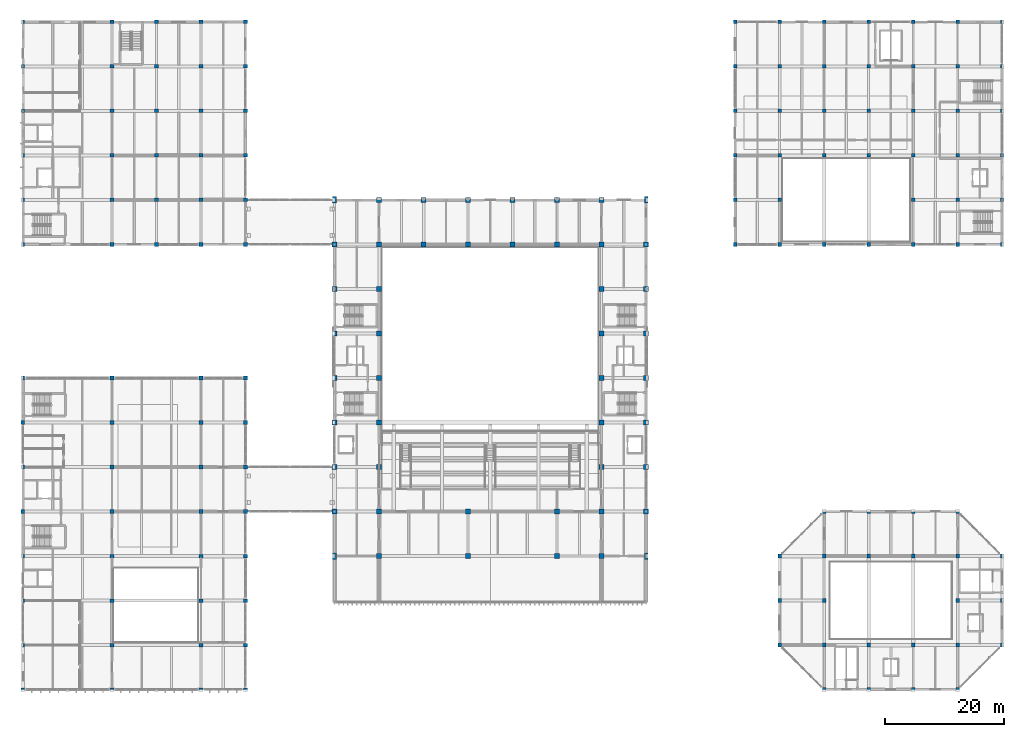
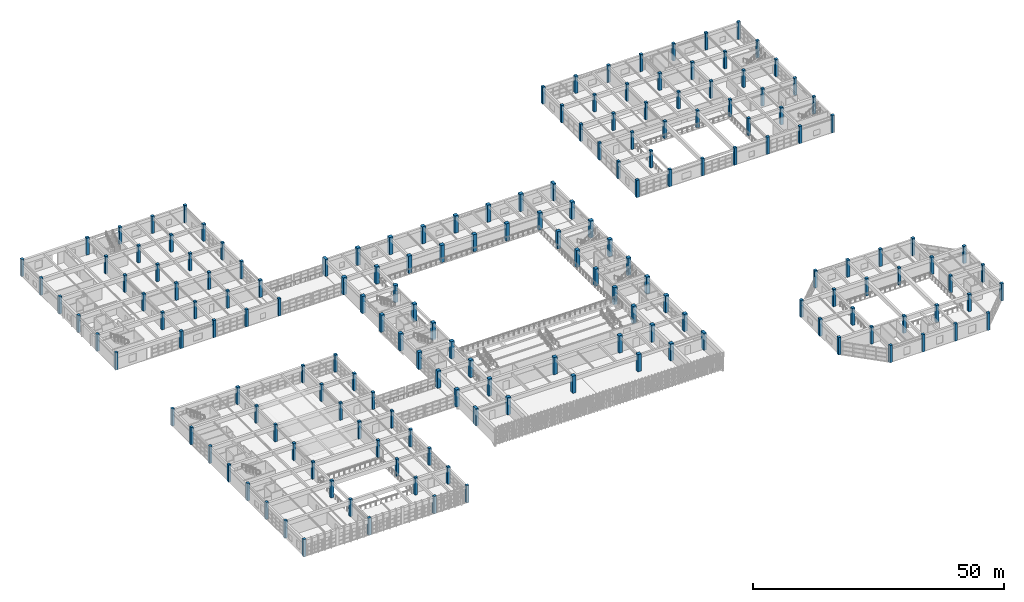
# One storey, part 1 of 124: 174 columns.
"""IFC4 building model written with IfcOpenShell, lengths in metres."""

from ifc_helpers import new_model, si_unit, direction, frame, origin, origin_2d, place, context, subcontext, project, spatial, rectangle, extrude, material, material_profile, profile_set, type_object, element, save


model = new_model("IFC4")

# Units and contexts
model_context = context("Model", 3, precision=1e-05, world=origin(), true_north=direction((0.0, 1.0)))
body_context = subcontext(model_context, "Body", "Model", "MODEL_VIEW")
ifc_project = project(units=[si_unit("LENGTHUNIT", "METRE"), si_unit("AREAUNIT", "SQUARE_METRE"), si_unit("VOLUMEUNIT", "CUBIC_METRE"), si_unit("PLANEANGLEUNIT", "RADIAN"), si_unit("MASSUNIT", "GRAM", prefix="KILO")], contexts=[model_context])

# Site, building, storey
site_placement = place(None, origin())
site = spatial("IfcSite", under=ifc_project, at=site_placement, CompositionType="ELEMENT")
building_placement = place(site_placement, origin())
building = spatial("IfcBuilding", under=site, at=building_placement, Name="Qasida Concert Hall", CompositionType="ELEMENT")
storey_placement = place(building_placement, frame((0.0, 0.0, 9.0)))
storey = spatial("IfcBuildingStorey", under=building, at=storey_placement, Name="L02", CompositionType="ELEMENT", Elevation=9.0)

# Columns
ifc_material = material(Name="Concrete C50/60", Category="concrete")
ifc_material_profile_1 = material_profile(ifc_material, rectangle(XDim=0.800048828125, YDim=0.800048828125, at=origin_2d()), Name="RC 800x800")
ifc_profile_set_1 = profile_set([ifc_material_profile_1], Name="Concrete C50/60")
column_type_1 = type_object("IfcColumnType", Name="COL-C-103", PredefinedType="COLUMN", material=ifc_profile_set_1)
for number, where, z_axis, x_axis, name in (
    (1, (52.5, 30.0, 0.0), (0.0, 0.0, 1.0), (1.0, 0.0, 0.0), "L02 column C-103 (V1)"),
    (2, (52.5, 37.5, 0.0), (0.0, 0.0, 1.0), (1.0, 0.0, 0.0), "L02 column C-103 (V1)"),
    (3, (52.5, 45.0, 0.0), (0.0, 0.0, 1.0), (1.0, 0.0, 0.0), "L02 column C-103 (V1)"),
    (4, (52.5, 52.5, 0.0), (0.0, 0.0, 1.0), (1.0, 0.0, 0.0), "L02 column C-103 (V1)"),
    (5, (52.5, 60.0, 0.0), (0.0, 0.0, 1.0), (1.0, 0.0, 0.0), "L02 column C-103 (V1)"),
    (6, (52.5, 67.5, 0.0), (0.0, 0.0, 1.0), (1.0, 0.0, 0.0), "L02 column C-103 (V1)"),
    (7, (52.5, 75.0, 0.0), (0.0, 0.0, 1.0), (1.0, 0.0, 0.0), "L02 column C-103 (V1)"),
    (8, (60.0, 22.5, 0.0), (0.0, 0.0, 1.0), (1.0, 0.0, 0.0), "L02 column C-103 (V1)"),
    (9, (60.0, 30.0, 0.0), (0.0, 0.0, 1.0), (1.0, 0.0, 0.0), "L02 column C-103 (V1)"),
    (10, (60.0, 37.5, 0.0), (0.0, 0.0, 1.0), (1.0, 0.0, 0.0), "L02 column C-103 (V1)"),
    (11, (60.0, 45.0, 0.0), (0.0, 0.0, 1.0), (1.0, 0.0, 0.0), "L02 column C-103 (V1)"),
    (12, (60.0, 52.5, 0.0), (0.0, 0.0, 1.0), (1.0, 0.0, 0.0), "L02 column C-103 (V1)"),
    (13, (60.0, 60.0, 0.0), (0.0, 0.0, 1.0), (1.0, 0.0, 0.0), "L02 column C-103 (V1)"),
    (14, (60.0, 67.5, 0.0), (0.0, 0.0, 1.0), (1.0, 0.0, 0.0), "L02 column C-103 (V1)"),
    (15, (60.0, 75.0, 0.0), (0.0, 0.0, 1.0), (1.0, 0.0, 0.0), "L02 column C-103 (V1)"),
    (16, (60.0, 82.5, 0.0), (0.0, 0.0, 1.0), (1.0, 0.0, 0.0), "L02 column C-103 (V1)"),
    (17, (67.5, 75.0, 0.0), (0.0, 0.0, 1.0), (1.0, 0.0, 0.0), "L02 column C-103 (V1)"),
    (18, (67.5, 82.5, 0.0), (0.0, 0.0, 1.0), (1.0, 0.0, 0.0), "L02 column C-103 (V1)"),
    (19, (75.0, 22.5, 0.0), (0.0, 0.0, 1.0), (1.0, 0.0, 0.0), "L02 column C-103 (V1)"),
    (20, (75.0, 30.0, 0.0), (0.0, 0.0, 1.0), (1.0, 0.0, 0.0), "L02 column C-103 (V1)"),
    (21, (75.0, 75.0, 0.0), (0.0, 0.0, 1.0), (1.0, 0.0, 0.0), "L02 column C-103 (V1)"),
    (22, (75.0, 82.5, 0.0), (0.0, 0.0, 1.0), (1.0, 0.0, 0.0), "L02 column C-103 (V1)"),
    (23, (82.5, 75.0, 0.0), (0.0, 0.0, 1.0), (1.0, 0.0, 0.0), "L02 column C-103 (V1)"),
    (24, (82.5, 82.5, 0.0), (0.0, 0.0, 1.0), (1.0, 0.0, 0.0), "L02 column C-103 (V1)"),
    (25, (90.0, 22.5, 0.0), (0.0, 0.0, 1.0), (1.0, 0.0, 0.0), "L02 column C-103 (V1)"),
    (26, (90.0, 30.0, 0.0), (0.0, 0.0, 1.0), (1.0, 0.0, 0.0), "L02 column C-103 (V1)"),
    (27, (90.0, 75.0, 0.0), (0.0, 0.0, 1.0), (1.0, 0.0, 0.0), "L02 column C-103 (V1)"),
    (28, (90.0, 82.5, 0.0), (0.0, 0.0, 1.0), (1.0, 0.0, 0.0), "L02 column C-103 (V1)"),
    (29, (97.5, 22.5, 0.0), (0.0, 0.0, 1.0), (1.0, 0.0, 0.0), "L02 column C-103 (V1)"),
    (30, (97.5, 30.0, 0.0), (0.0, 0.0, 1.0), (1.0, 0.0, 0.0), "L02 column C-103 (V1)"),
    (31, (97.5, 37.5, 0.0), (0.0, 0.0, 1.0), (1.0, 0.0, 0.0), "L02 column C-103 (V1)"),
    (32, (97.5, 45.0, 0.0), (0.0, 0.0, 1.0), (1.0, 0.0, 0.0), "L02 column C-103 (V1)"),
    (33, (97.5, 52.5, 0.0), (0.0, 0.0, 1.0), (1.0, 0.0, 0.0), "L02 column C-103 (V1)"),
    (34, (97.5, 60.0, 0.0), (0.0, 0.0, 1.0), (1.0, 0.0, 0.0), "L02 column C-103 (V1)"),
    (35, (97.5, 67.5, 0.0), (0.0, 0.0, 1.0), (1.0, 0.0, 0.0), "L02 column C-103 (V1)"),
    (36, (97.5, 75.0, 0.0), (0.0, 0.0, 1.0), (1.0, 0.0, 0.0), "L02 column C-103 (V1)"),
    (37, (97.5, 82.5, 0.0), (0.0, 0.0, 1.0), (1.0, 0.0, 0.0), "L02 column C-103 (V1)"),
    (38, (105.0, 30.0, 0.0), (0.0, 0.0, 1.0), (1.0, 0.0, 0.0), "L02 column C-103 (V1)"),
    (39, (105.0, 37.5, 0.0), (0.0, 0.0, 1.0), (1.0, 0.0, 0.0), "L02 column C-103 (V1)"),
    (40, (105.0, 45.0, 0.0), (0.0, 0.0, 1.0), (1.0, 0.0, 0.0), "L02 column C-103 (V1)"),
    (41, (105.0, 52.5, 0.0), (0.0, 0.0, 1.0), (1.0, 0.0, 0.0), "L02 column C-103 (V1)"),
    (42, (105.0, 60.0, 0.0), (0.0, 0.0, 1.0), (1.0, 0.0, 0.0), "L02 column C-103 (V1)"),
    (43, (105.0, 67.5, 0.0), (0.0, 0.0, 1.0), (1.0, 0.0, 0.0), "L02 column C-103 (V1)"),
    (44, (105.0, 75.0, 0.0), (0.0, 0.0, 1.0), (1.0, 0.0, 0.0), "L02 column C-103 (V1)"),
):
    element("IfcColumn", number, at=place(storey_placement, frame(where, z_axis=z_axis, x_axis=x_axis)), inside=storey, type_object=column_type_1, Name=name, PredefinedType="COLUMN", context=body_context, shape_type="SweptSolid", body=[
        extrude(rectangle(XDim=0.800048828125, YDim=0.800048828125, at=origin_2d()), origin(), (0.0, 0.0, 1.0), 4.199951171875),
    ])
ifc_material_profile_2 = material_profile(ifc_material, rectangle(XDim=0.60009765625, YDim=0.60009765625, at=origin_2d()), Name="RC 600x600")
ifc_profile_set_2 = profile_set([ifc_material_profile_2], Name="Concrete C50/60")
column_type_2 = type_object("IfcColumnType", Name="COL-C-107", PredefinedType="COLUMN", material=ifc_profile_set_2)
for number, where, z_axis, x_axis, name in (
    (45, (0.0, 0.0, 0.0), (0.0, 0.0, 1.0), (1.0, 0.0, 0.0), "L02 column C-107 (V3)"),
    (46, (0.0, 7.5, 0.0), (0.0, 0.0, 1.0), (1.0, 0.0, 0.0), "L02 column C-107 (V3)"),
    (47, (0.0, 15.0, 0.0), (0.0, 0.0, 1.0), (1.0, 0.0, 0.0), "L02 column C-107 (V3)"),
    (48, (0.0, 22.5, 0.0), (0.0, 0.0, 1.0), (1.0, 0.0, 0.0), "L02 column C-107 (V3)"),
    (49, (0.0, 30.0, 0.0), (0.0, 0.0, 1.0), (1.0, 0.0, 0.0), "L02 column C-107 (V3)"),
    (50, (0.0, 37.5, 0.0), (0.0, 0.0, 1.0), (1.0, 0.0, 0.0), "L02 column C-107 (V3)"),
    (51, (0.0, 45.0, 0.0), (0.0, 0.0, 1.0), (1.0, 0.0, 0.0), "L02 column C-107 (V3)"),
    (52, (0.0, 52.5, 0.0), (0.0, 0.0, 1.0), (1.0, 0.0, 0.0), "L02 column C-107 (V3)"),
    (53, (15.0, 0.0, 0.0), (0.0, 0.0, 1.0), (1.0, 0.0, 0.0), "L02 column C-107 (V3)"),
    (54, (15.0, 7.5, 0.0), (0.0, 0.0, 1.0), (1.0, 0.0, 0.0), "L02 column C-107 (V3)"),
    (55, (15.0, 15.0, 0.0), (0.0, 0.0, 1.0), (1.0, 0.0, 0.0), "L02 column C-107 (V3)"),
    (56, (15.0, 22.5, 0.0), (0.0, 0.0, 1.0), (1.0, 0.0, 0.0), "L02 column C-107 (V3)"),
    (57, (15.0, 30.0, 0.0), (0.0, 0.0, 1.0), (1.0, 0.0, 0.0), "L02 column C-107 (V3)"),
    (58, (15.0, 37.5, 0.0), (0.0, 0.0, 1.0), (1.0, 0.0, 0.0), "L02 column C-107 (V3)"),
    (59, (15.0, 45.0, 0.0), (0.0, 0.0, 1.0), (1.0, 0.0, 0.0), "L02 column C-107 (V3)"),
    (60, (15.0, 52.5, 0.0), (0.0, 0.0, 1.0), (1.0, 0.0, 0.0), "L02 column C-107 (V3)"),
    (61, (30.0, 0.0, 0.0), (0.0, 0.0, 1.0), (1.0, 0.0, 0.0), "L02 column C-107 (V3)"),
    (62, (30.0, 7.5, 0.0), (0.0, 0.0, 1.0), (1.0, 0.0, 0.0), "L02 column C-107 (V3)"),
    (63, (30.0, 15.0, 0.0), (0.0, 0.0, 1.0), (1.0, 0.0, 0.0), "L02 column C-107 (V3)"),
    (64, (30.0, 22.5, 0.0), (0.0, 0.0, 1.0), (1.0, 0.0, 0.0), "L02 column C-107 (V3)"),
    (65, (30.0, 30.0, 0.0), (0.0, 0.0, 1.0), (1.0, 0.0, 0.0), "L02 column C-107 (V3)"),
    (66, (30.0, 37.5, 0.0), (0.0, 0.0, 1.0), (1.0, 0.0, 0.0), "L02 column C-107 (V3)"),
    (67, (30.0, 45.0, 0.0), (0.0, 0.0, 1.0), (1.0, 0.0, 0.0), "L02 column C-107 (V3)"),
    (68, (30.0, 52.5, 0.0), (0.0, 0.0, 1.0), (1.0, 0.0, 0.0), "L02 column C-107 (V3)"),
    (69, (37.5, 0.0, 0.0), (0.0, 0.0, 1.0), (1.0, 0.0, 0.0), "L02 column C-107 (V3)"),
    (70, (37.5, 7.5, 0.0), (0.0, 0.0, 1.0), (1.0, 0.0, 0.0), "L02 column C-107 (V3)"),
    (71, (37.5, 15.0, 0.0), (0.0, 0.0, 1.0), (1.0, 0.0, 0.0), "L02 column C-107 (V3)"),
    (72, (37.5, 22.5, 0.0), (0.0, 0.0, 1.0), (1.0, 0.0, 0.0), "L02 column C-107 (V3)"),
    (73, (37.5, 30.0, 0.0), (0.0, 0.0, 1.0), (1.0, 0.0, 0.0), "L02 column C-107 (V3)"),
    (74, (37.5, 37.5, 0.0), (0.0, 0.0, 1.0), (1.0, 0.0, 0.0), "L02 column C-107 (V3)"),
    (75, (37.5, 45.0, 0.0), (0.0, 0.0, 1.0), (1.0, 0.0, 0.0), "L02 column C-107 (V3)"),
    (76, (37.5, 52.5, 0.0), (0.0, 0.0, 1.0), (1.0, 0.0, 0.0), "L02 column C-107 (V3)"),
    (77, (120.0, 75.0, 0.0), (0.0, 0.0, 1.0), (1.0, 0.0, 0.0), "L02 column C-107 (V4)"),
    (78, (120.0, 82.5, 0.0), (0.0, 0.0, 1.0), (1.0, 0.0, 0.0), "L02 column C-107 (V4)"),
    (79, (120.0, 90.0, 0.0), (0.0, 0.0, 1.0), (1.0, 0.0, 0.0), "L02 column C-107 (V4)"),
    (80, (120.0, 97.5, 0.0), (0.0, 0.0, 1.0), (1.0, 0.0, 0.0), "L02 column C-107 (V4)"),
    (81, (120.0, 105.0, 0.0), (0.0, 0.0, 1.0), (1.0, 0.0, 0.0), "L02 column C-107 (V4)"),
    (82, (120.0, 112.5, 0.0), (0.0, 0.0, 1.0), (1.0, 0.0, 0.0), "L02 column C-107 (V4)"),
    (83, (127.5, 75.0, 0.0), (0.0, 0.0, 1.0), (1.0, 0.0, 0.0), "L02 column C-107 (V4)"),
    (84, (127.5, 82.5, 0.0), (0.0, 0.0, 1.0), (1.0, 0.0, 0.0), "L02 column C-107 (V4)"),
    (85, (127.5, 90.0, 0.0), (0.0, 0.0, 1.0), (1.0, 0.0, 0.0), "L02 column C-107 (V4)"),
    (86, (127.5, 97.5, 0.0), (0.0, 0.0, 1.0), (1.0, 0.0, 0.0), "L02 column C-107 (V4)"),
    (87, (127.5, 105.0, 0.0), (0.0, 0.0, 1.0), (1.0, 0.0, 0.0), "L02 column C-107 (V4)"),
    (88, (127.5, 112.5, 0.0), (0.0, 0.0, 1.0), (1.0, 0.0, 0.0), "L02 column C-107 (V4)"),
    (89, (135.0, 75.0, 0.0), (0.0, 0.0, 1.0), (1.0, 0.0, 0.0), "L02 column C-107 (V4)"),
    (90, (135.0, 90.0, 0.0), (0.0, 0.0, 1.0), (1.0, 0.0, 0.0), "L02 column C-107 (V4)"),
    (91, (135.0, 97.5, 0.0), (0.0, 0.0, 1.0), (1.0, 0.0, 0.0), "L02 column C-107 (V4)"),
    (92, (135.0, 105.0, 0.0), (0.0, 0.0, 1.0), (1.0, 0.0, 0.0), "L02 column C-107 (V4)"),
    (93, (135.0, 112.5, 0.0), (0.0, 0.0, 1.0), (1.0, 0.0, 0.0), "L02 column C-107 (V4)"),
    (94, (142.5, 75.0, 0.0), (0.0, 0.0, 1.0), (1.0, 0.0, 0.0), "L02 column C-107 (V4)"),
    (95, (142.5, 90.0, 0.0), (0.0, 0.0, 1.0), (1.0, 0.0, 0.0), "L02 column C-107 (V4)"),
    (96, (142.5, 97.5, 0.0), (0.0, 0.0, 1.0), (1.0, 0.0, 0.0), "L02 column C-107 (V4)"),
    (97, (142.5, 105.0, 0.0), (0.0, 0.0, 1.0), (1.0, 0.0, 0.0), "L02 column C-107 (V4)"),
    (98, (142.5, 112.5, 0.0), (0.0, 0.0, 1.0), (1.0, 0.0, 0.0), "L02 column C-107 (V4)"),
    (99, (150.0, 75.0, 0.0), (0.0, 0.0, 1.0), (1.0, 0.0, 0.0), "L02 column C-107 (V4)"),
    (100, (150.0, 82.5, 0.0), (0.0, 0.0, 1.0), (1.0, 0.0, 0.0), "L02 column C-107 (V4)"),
    (101, (150.0, 90.0, 0.0), (0.0, 0.0, 1.0), (1.0, 0.0, 0.0), "L02 column C-107 (V4)"),
    (102, (150.0, 97.5, 0.0), (0.0, 0.0, 1.0), (1.0, 0.0, 0.0), "L02 column C-107 (V4)"),
    (103, (150.0, 105.0, 0.0), (0.0, 0.0, 1.0), (1.0, 0.0, 0.0), "L02 column C-107 (V4)"),
    (104, (150.0, 112.5, 0.0), (0.0, 0.0, 1.0), (1.0, 0.0, 0.0), "L02 column C-107 (V4)"),
    (105, (157.5, 75.0, 0.0), (0.0, 0.0, 1.0), (1.0, 0.0, 0.0), "L02 column C-107 (V4)"),
    (106, (157.5, 82.5, 0.0), (0.0, 0.0, 1.0), (1.0, 0.0, 0.0), "L02 column C-107 (V4)"),
    (107, (157.5, 90.0, 0.0), (0.0, 0.0, 1.0), (1.0, 0.0, 0.0), "L02 column C-107 (V4)"),
    (108, (157.5, 97.5, 0.0), (0.0, 0.0, 1.0), (1.0, 0.0, 0.0), "L02 column C-107 (V4)"),
    (109, (157.5, 105.0, 0.0), (0.0, 0.0, 1.0), (1.0, 0.0, 0.0), "L02 column C-107 (V4)"),
    (110, (157.5, 112.5, 0.0), (0.0, 0.0, 1.0), (1.0, 0.0, 0.0), "L02 column C-107 (V4)"),
    (111, (165.0, 75.0, 0.0), (0.0, 0.0, 1.0), (1.0, 0.0, 0.0), "L02 column C-107 (V4)"),
    (112, (165.0, 82.5, 0.0), (0.0, 0.0, 1.0), (1.0, 0.0, 0.0), "L02 column C-107 (V4)"),
    (113, (165.0, 90.0, 0.0), (0.0, 0.0, 1.0), (1.0, 0.0, 0.0), "L02 column C-107 (V4)"),
    (114, (165.0, 97.5, 0.0), (0.0, 0.0, 1.0), (1.0, 0.0, 0.0), "L02 column C-107 (V4)"),
    (115, (165.0, 105.0, 0.0), (0.0, 0.0, 1.0), (1.0, 0.0, 0.0), "L02 column C-107 (V4)"),
    (116, (165.0, 112.5, 0.0), (0.0, 0.0, 1.0), (1.0, 0.0, 0.0), "L02 column C-107 (V4)"),
    (117, (0.0, 75.0, 0.0), (0.0, 0.0, 1.0), (1.0, 0.0, 0.0), "L02 column C-107 (V5)"),
    (118, (0.0, 82.5, 0.0), (0.0, 0.0, 1.0), (1.0, 0.0, 0.0), "L02 column C-107 (V5)"),
    (119, (0.0, 90.0, 0.0), (0.0, 0.0, 1.0), (1.0, 0.0, 0.0), "L02 column C-107 (V5)"),
    (120, (0.0, 97.5, 0.0), (0.0, 0.0, 1.0), (1.0, 0.0, 0.0), "L02 column C-107 (V5)"),
    (121, (0.0, 105.0, 0.0), (0.0, 0.0, 1.0), (1.0, 0.0, 0.0), "L02 column C-107 (V5)"),
    (122, (0.0, 112.5, 0.0), (0.0, 0.0, 1.0), (1.0, 0.0, 0.0), "L02 column C-107 (V5)"),
    (123, (15.0, 75.0, 0.0), (0.0, 0.0, 1.0), (1.0, 0.0, 0.0), "L02 column C-107 (V5)"),
    (124, (15.0, 82.5, 0.0), (0.0, 0.0, 1.0), (1.0, 0.0, 0.0), "L02 column C-107 (V5)"),
    (125, (15.0, 90.0, 0.0), (0.0, 0.0, 1.0), (1.0, 0.0, 0.0), "L02 column C-107 (V5)"),
    (126, (15.0, 97.5, 0.0), (0.0, 0.0, 1.0), (1.0, 0.0, 0.0), "L02 column C-107 (V5)"),
    (127, (15.0, 105.0, 0.0), (0.0, 0.0, 1.0), (1.0, 0.0, 0.0), "L02 column C-107 (V5)"),
    (128, (15.0, 112.5, 0.0), (0.0, 0.0, 1.0), (1.0, 0.0, 0.0), "L02 column C-107 (V5)"),
    (129, (22.5, 75.0, 0.0), (0.0, 0.0, 1.0), (1.0, 0.0, 0.0), "L02 column C-107 (V5)"),
    (130, (22.5, 82.5, 0.0), (0.0, 0.0, 1.0), (1.0, 0.0, 0.0), "L02 column C-107 (V5)"),
    (131, (22.5, 90.0, 0.0), (0.0, 0.0, 1.0), (1.0, 0.0, 0.0), "L02 column C-107 (V5)"),
    (132, (22.5, 97.5, 0.0), (0.0, 0.0, 1.0), (1.0, 0.0, 0.0), "L02 column C-107 (V5)"),
    (133, (22.5, 105.0, 0.0), (0.0, 0.0, 1.0), (1.0, 0.0, 0.0), "L02 column C-107 (V5)"),
    (134, (22.5, 112.5, 0.0), (0.0, 0.0, 1.0), (1.0, 0.0, 0.0), "L02 column C-107 (V5)"),
    (135, (30.0, 75.0, 0.0), (0.0, 0.0, 1.0), (1.0, 0.0, 0.0), "L02 column C-107 (V5)"),
    (136, (30.0, 82.5, 0.0), (0.0, 0.0, 1.0), (1.0, 0.0, 0.0), "L02 column C-107 (V5)"),
    (137, (30.0, 90.0, 0.0), (0.0, 0.0, 1.0), (1.0, 0.0, 0.0), "L02 column C-107 (V5)"),
    (138, (30.0, 97.5, 0.0), (0.0, 0.0, 1.0), (1.0, 0.0, 0.0), "L02 column C-107 (V5)"),
    (139, (30.0, 105.0, 0.0), (0.0, 0.0, 1.0), (1.0, 0.0, 0.0), "L02 column C-107 (V5)"),
    (140, (30.0, 112.5, 0.0), (0.0, 0.0, 1.0), (1.0, 0.0, 0.0), "L02 column C-107 (V5)"),
    (141, (37.5, 75.0, 0.0), (0.0, 0.0, 1.0), (1.0, 0.0, 0.0), "L02 column C-107 (V5)"),
    (142, (37.5, 82.5, 0.0), (0.0, 0.0, 1.0), (1.0, 0.0, 0.0), "L02 column C-107 (V5)"),
    (143, (37.5, 90.0, 0.0), (0.0, 0.0, 1.0), (1.0, 0.0, 0.0), "L02 column C-107 (V5)"),
    (144, (37.5, 97.5, 0.0), (0.0, 0.0, 1.0), (1.0, 0.0, 0.0), "L02 column C-107 (V5)"),
    (145, (37.5, 105.0, 0.0), (0.0, 0.0, 1.0), (1.0, 0.0, 0.0), "L02 column C-107 (V5)"),
    (146, (37.5, 112.5, 0.0), (0.0, 0.0, 1.0), (1.0, 0.0, 0.0), "L02 column C-107 (V5)"),
):
    element("IfcColumn", number, at=place(storey_placement, frame(where, z_axis=z_axis, x_axis=x_axis)), inside=storey, type_object=column_type_2, Name=name, PredefinedType="COLUMN", context=body_context, shape_type="SweptSolid", body=[
        extrude(rectangle(XDim=0.60009765625, YDim=0.60009765625, at=origin_2d()), origin(), (0.0, 0.0, 1.0), 4.199951171875),
    ])
ifc_material_profile_3 = material_profile(ifc_material, rectangle(XDim=0.60009765625, YDim=1.10009765625, at=origin_2d()), Name="RC 600x1100")
ifc_profile_set_3 = profile_set([ifc_material_profile_3], Name="Concrete C50/60")
column_type_3 = type_object("IfcColumnType", Name="COL-C-112", PredefinedType="COLUMN", material=ifc_profile_set_3)
for number, where, z_axis, x_axis, name in (
    (147, (52.5, 22.5, 0.0), (0.0, 0.0, 1.0), (1.0, 0.0, 0.0), "L02 column C-112 (V1)"),
    (148, (52.5, 82.5, 0.0), (0.0, 0.0, 1.0), (1.0, 0.0, 0.0), "L02 column C-112 (V1)"),
    (149, (105.0, 22.5, 0.0), (0.0, 0.0, 1.0), (1.0, 0.0, 0.0), "L02 column C-112 (V1)"),
    (150, (105.0, 82.5, 0.0), (0.0, 0.0, 1.0), (1.0, 0.0, 0.0), "L02 column C-112 (V1)"),
):
    element("IfcColumn", number, at=place(storey_placement, frame(where, z_axis=z_axis, x_axis=x_axis)), inside=storey, type_object=column_type_3, Name=name, PredefinedType="COLUMN", context=body_context, shape_type="SweptSolid", body=[
        extrude(rectangle(XDim=0.60009765625, YDim=1.10009765625, at=origin_2d()), origin(), (0.0, 0.0, 1.0), 4.199951171875),
    ])
ifc_material_profile_4 = material_profile(ifc_material, rectangle(XDim=0.6201171875, YDim=0.6201171875, at=origin_2d()), Name="RC 620x620")
ifc_profile_set_4 = profile_set([ifc_material_profile_4], Name="Concrete C50/60")
column_type_4 = type_object("IfcColumnType", Name="COL-C-121", PredefinedType="COLUMN", material=ifc_profile_set_4)
for number, where, z_axis, x_axis, name in (
    (151, (127.5, 7.5, 0.0), (0.0, 0.0, 1.0), (1.0, 0.0, 0.0), "L02 column C-121 (V2)"),
    (152, (127.5, 15.0, 0.0), (0.0, 0.0, 1.0), (1.0, 0.0, 0.0), "L02 column C-121 (V2)"),
    (153, (127.5, 22.5, 0.0), (0.0, 0.0, 1.0), (1.0, 0.0, 0.0), "L02 column C-121 (V2)"),
    (154, (135.0, 0.0, 0.0), (0.0, 0.0, 1.0), (1.0, 0.0, 0.0), "L02 column C-121 (V2)"),
    (155, (135.0, 7.5, 0.0), (0.0, 0.0, 1.0), (1.0, 0.0, 0.0), "L02 column C-121 (V2)"),
    (156, (135.0, 15.0, 0.0), (0.0, 0.0, 1.0), (1.0, 0.0, 0.0), "L02 column C-121 (V2)"),
    (157, (135.0, 22.5, 0.0), (0.0, 0.0, 1.0), (1.0, 0.0, 0.0), "L02 column C-121 (V2)"),
    (158, (135.0, 30.0, 0.0), (0.0, 0.0, 1.0), (1.0, 0.0, 0.0), "L02 column C-121 (V2)"),
    (159, (142.5, 0.0, 0.0), (0.0, 0.0, 1.0), (1.0, 0.0, 0.0), "L02 column C-121 (V2)"),
    (160, (142.5, 7.5, 0.0), (0.0, 0.0, 1.0), (1.0, 0.0, 0.0), "L02 column C-121 (V2)"),
    (161, (142.5, 22.5, 0.0), (0.0, 0.0, 1.0), (1.0, 0.0, 0.0), "L02 column C-121 (V2)"),
    (162, (142.5, 30.0, 0.0), (0.0, 0.0, 1.0), (1.0, 0.0, 0.0), "L02 column C-121 (V2)"),
    (163, (150.0, 0.0, 0.0), (0.0, 0.0, 1.0), (1.0, 0.0, 0.0), "L02 column C-121 (V2)"),
    (164, (150.0, 7.5, 0.0), (0.0, 0.0, 1.0), (1.0, 0.0, 0.0), "L02 column C-121 (V2)"),
    (165, (150.0, 22.5, 0.0), (0.0, 0.0, 1.0), (1.0, 0.0, 0.0), "L02 column C-121 (V2)"),
    (166, (150.0, 30.0, 0.0), (0.0, 0.0, 1.0), (1.0, 0.0, 0.0), "L02 column C-121 (V2)"),
    (167, (157.5, 0.0, 0.0), (0.0, 0.0, 1.0), (1.0, 0.0, 0.0), "L02 column C-121 (V2)"),
    (168, (157.5, 7.5, 0.0), (0.0, 0.0, 1.0), (1.0, 0.0, 0.0), "L02 column C-121 (V2)"),
    (169, (157.5, 15.0, 0.0), (0.0, 0.0, 1.0), (1.0, 0.0, 0.0), "L02 column C-121 (V2)"),
    (170, (157.5, 22.5, 0.0), (0.0, 0.0, 1.0), (1.0, 0.0, 0.0), "L02 column C-121 (V2)"),
    (171, (157.5, 30.0, 0.0), (0.0, 0.0, 1.0), (1.0, 0.0, 0.0), "L02 column C-121 (V2)"),
    (172, (165.0, 7.5, 0.0), (0.0, 0.0, 1.0), (1.0, 0.0, 0.0), "L02 column C-121 (V2)"),
    (173, (165.0, 15.0, 0.0), (0.0, 0.0, 1.0), (1.0, 0.0, 0.0), "L02 column C-121 (V2)"),
    (174, (165.0, 22.5, 0.0), (0.0, 0.0, 1.0), (1.0, 0.0, 0.0), "L02 column C-121 (V2)"),
):
    element("IfcColumn", number, at=place(storey_placement, frame(where, z_axis=z_axis, x_axis=x_axis)), inside=storey, type_object=column_type_4, Name=name, PredefinedType="COLUMN", context=body_context, shape_type="SweptSolid", body=[
        extrude(rectangle(XDim=0.6201171875, YDim=0.6201171875, at=origin_2d()), origin(), (0.0, 0.0, 1.0), 4.199951171875),
    ])

save(model, "model.ifc")
